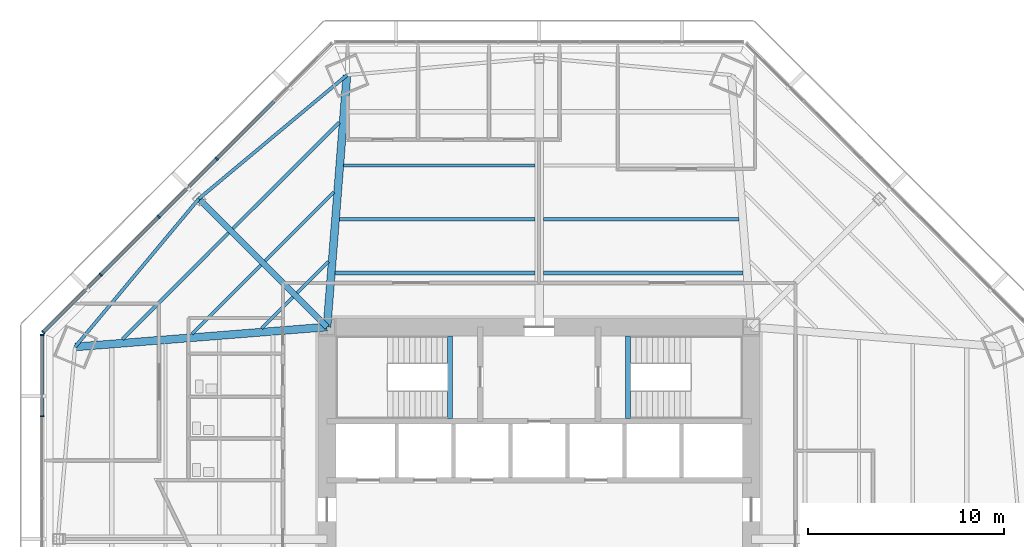
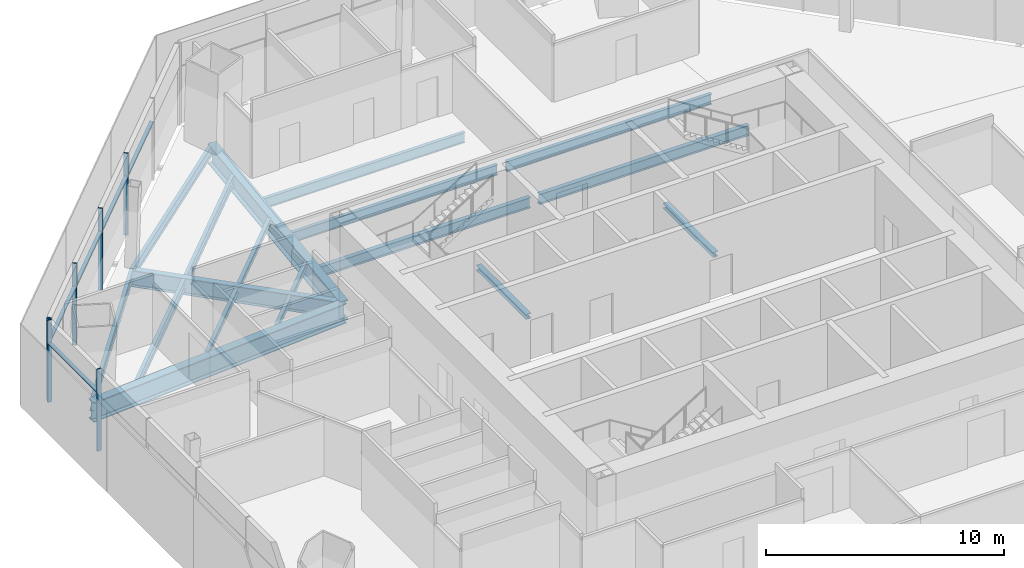
# One storey, part 5 of 16: 18 beams, 11 members, 2 elements without a shape of their own.
"""IFC4 building model written with IfcOpenShell, lengths in metres."""

from ifc_helpers import new_model, si_unit, direction, frame, origin, origin_2d, place, context, subcontext, project, spatial, rectangle, i_section, extrude, source, transform, mapped, material, material_profile, profile_set, type_object, type_shapes, element, aggregate, save


model = new_model("IFC4")

# Units and contexts
model_context = context("Model", 3, precision=1e-05, world=origin(), true_north=direction((0.0, 1.0)))
body_context = subcontext(model_context, "Body", "Model", "MODEL_VIEW")
ifc_project = project(units=[si_unit("LENGTHUNIT", "METRE"), si_unit("AREAUNIT", "SQUARE_METRE"), si_unit("VOLUMEUNIT", "CUBIC_METRE"), si_unit("PLANEANGLEUNIT", "RADIAN"), si_unit("MASSUNIT", "GRAM", prefix="KILO")], contexts=[model_context])

# Site, building, storey
site_placement = place(None, origin())
site = spatial("IfcSite", under=ifc_project, at=site_placement, CompositionType="ELEMENT")
building_placement = place(site_placement, origin())
building = spatial("IfcBuilding", under=site, at=building_placement, Name="Mashrafa Tower", CompositionType="ELEMENT")
storey_placement = place(building_placement, frame((0.0, 0.0, 96.0)))
storey = spatial("IfcBuildingStorey", under=building, at=storey_placement, Name="L21", CompositionType="ELEMENT", Elevation=96.0)

# Beams
ifc_material_1 = material(Name="Steel ASTM A992", Category="steel")
ifc_material_profile_1 = material_profile(ifc_material_1, i_section(OverallWidth=0.164794921875, OverallDepth=0.309814453125, WebThickness=0.005859375, FlangeThickness=0.009765625, FilletRadius=0.007568359375, at=origin_2d()), Name="W12X26")
ifc_profile_set_1 = profile_set([ifc_material_profile_1], Name="Steel ASTM A992")
beam_type_1 = type_object("IfcBeamType", Name="Beam W12X26", PredefinedType="BEAM", material=ifc_profile_set_1)
beam_1_placement = place(storey_placement, frame((-17.66845703125, 10.458251953125, -0.31982421875), z_axis=(0.707082131725, 0.707131429789, 0.0), x_axis=(-0.707131429789, 0.707082131725, 0.0)))
element("IfcBeam", 1, at=beam_1_placement, inside=storey, type_object=beam_type_1, Name="Floor beam L21 006", PredefinedType="BEAM", context=body_context, shape_type="SweptSolid", body=[
    extrude(i_section(OverallWidth=0.164794921875, OverallDepth=0.309814453125, WebThickness=0.005859375, FlangeThickness=0.009765625, FilletRadius=0.007568359375, at=origin_2d()), origin(), (0.0, 0.0, 1.0), 4.952392578125),
])
beam_2_placement = place(storey_placement, frame((-14.125, 10.73828125, -0.31982421875), z_axis=(0.707106781187, 0.707106781187, 0.0), x_axis=(-0.707106781187, 0.707106781187, 0.0)))
element("IfcBeam", 2, at=beam_2_placement, inside=storey, type_object=beam_type_1, Name="Floor beam L21 011", PredefinedType="BEAM", context=body_context, shape_type="SweptSolid", body=[
    extrude(i_section(OverallWidth=0.164794921875, OverallDepth=0.309814453125, WebThickness=0.005859375, FlangeThickness=0.009765625, FilletRadius=0.007568359375, at=origin_2d()), origin(), (0.0, 0.0, 1.0), 2.248779296875),
])
beam_3_placement = place(storey_placement, frame((-13.960205078125, 14.166748046875, -0.31982421875), z_axis=(0.707131429789, 0.707082131725, 0.0), x_axis=(-0.707082131725, 0.707131429789, 0.0)))
element("IfcBeam", 3, at=beam_3_placement, inside=storey, type_object=beam_type_1, Name="Floor beam L21 013", PredefinedType="BEAM", context=body_context, shape_type="SweptSolid", body=[
    extrude(i_section(OverallWidth=0.164794921875, OverallDepth=0.309814453125, WebThickness=0.005859375, FlangeThickness=0.009765625, FilletRadius=0.007568359375, at=origin_2d()), origin(), (0.0, 0.0, 1.0), 4.952392578125),
])
beam_4_placement = place(storey_placement, frame((-12.328369140625, 12.534912109375, -0.31982421875), z_axis=(0.707106781187, 0.707106781187, 0.0), x_axis=(-0.707106781187, 0.707106781187, 0.0)))
element("IfcBeam", 4, at=beam_4_placement, inside=storey, type_object=beam_type_1, Name="Floor beam L21 017", PredefinedType="BEAM", context=body_context, shape_type="SweptSolid", body=[
    extrude(i_section(OverallWidth=0.164794921875, OverallDepth=0.309814453125, WebThickness=0.005859375, FlangeThickness=0.009765625, FilletRadius=0.007568359375, at=origin_2d()), origin(), (0.0, 0.0, 1.0), 2.248779296875),
])
ifc_material_2 = material(Name="Steel ASTM A992", Category="steel")
ifc_material_profile_2 = material_profile(ifc_material_2, i_section(OverallWidth=0.1650390625, OverallDepth=0.52587890625, WebThickness=0.0087890625, FlangeThickness=0.011474609375, FilletRadius=0.0126953125, at=origin_2d()), Name="W21X44")
ifc_profile_set_2 = profile_set([ifc_material_profile_2], Name="Steel ASTM A992")
beam_type_2 = type_object("IfcBeamType", Name="Beam W21X44", PredefinedType="BEAM", material=ifc_profile_set_2)
beam_5_placement = place(storey_placement, frame((-9.948486328125, 19.022216796875, -0.427978515625), z_axis=(1.0, 0.0, 0.0), x_axis=(0.0, 1.0, 0.0)))
element("IfcBeam", 5, at=beam_5_placement, inside=storey, type_object=beam_type_2, Name="Floor beam L21 022", PredefinedType="BEAM", context=body_context, shape_type="SweptSolid", body=[
    extrude(i_section(OverallWidth=0.1650390625, OverallDepth=0.52587890625, WebThickness=0.0087890625, FlangeThickness=0.011474609375, FilletRadius=0.0126953125, at=origin_2d()), origin(), (0.0, 0.0, 1.0), 9.736328125),
])
ifc_material_3 = material(Name="Steel ASTM A992", Category="steel")
ifc_material_profile_3 = material_profile(ifc_material_3, i_section(OverallWidth=0.165771484375, OverallDepth=0.5283203125, WebThickness=0.009765625, FlangeThickness=0.013671875, FilletRadius=0.012939453125, at=origin_2d()), Name="W21X50")
ifc_profile_set_3 = profile_set([ifc_material_profile_3], Name="Steel ASTM A992")
beam_type_3 = type_object("IfcBeamType", Name="Beam W21X50", PredefinedType="BEAM", material=ifc_profile_set_3)
for number, where, z_axis, x_axis, name in (
    (6, (-21.2119140625, 10.177978515625, -0.42919921875), (0.707090836864, 0.707122725149, 0.0), (-0.707122725149, 0.707090836864, 0.0), "Floor beam L21 003"),
    (7, (-15.591796875, 15.79833984375, -0.42919921875), (0.707122725149, 0.707090836864, 0.0), (-0.707090836864, 0.707122725149, 0.0), "Floor beam L21 010"),
):
    element("IfcBeam", number, at=place(storey_placement, frame(where, z_axis=z_axis, x_axis=x_axis)), inside=storey, type_object=beam_type_3, Name=name, PredefinedType="BEAM", context=body_context, shape_type="SweptSolid", body=[
        extrude(i_section(OverallWidth=0.165771484375, OverallDepth=0.5283203125, WebThickness=0.009765625, FlangeThickness=0.013671875, FilletRadius=0.012939453125, at=origin_2d()), origin(), (0.0, 0.0, 1.0), 7.656005859375),
    ])
for number, where, z_axis, x_axis, name in (
    (8, (-10.165283203125, 16.281494140625, -0.42919921875), (1.0, 0.0, 0.0), (0.0, 1.0, 0.0), "Floor beam L21 020"),
    (9, (0.212158203125, 16.281494140625, -0.42919921875), (1.0, 0.0, 0.0), (0.0, 1.0, 0.0), "Floor beam L21 030"),
):
    element("IfcBeam", number, at=place(storey_placement, frame(where, z_axis=z_axis, x_axis=x_axis)), inside=storey, type_object=beam_type_3, Name=name, PredefinedType="BEAM", context=body_context, shape_type="SweptSolid", body=[
        extrude(i_section(OverallWidth=0.165771484375, OverallDepth=0.5283203125, WebThickness=0.009765625, FlangeThickness=0.013671875, FilletRadius=0.012939453125, at=origin_2d()), origin(), (0.0, 0.0, 1.0), 9.953125),
    ])
for number, where, z_axis, x_axis, name in (
    (10, (-17.32666015625, 17.32666015625, -0.42919921875), (-0.641076048698, -0.76747736109, 0.0), (0.76747736109, -0.641076048698, 0.0), "Spandrel beam L21 077"),
    (11, (-9.785888671875, 23.62548828125, -0.42919921875), (-0.76747736109, -0.641076048698, 0.0), (0.641076048698, -0.76747736109, 0.0), "Spandrel beam L21 079"),
):
    element("IfcBeam", number, at=place(storey_placement, frame(where, z_axis=z_axis, x_axis=x_axis)), inside=storey, type_object=beam_type_3, Name=name, PredefinedType="BEAM", context=body_context, shape_type="SweptSolid", body=[
        extrude(i_section(OverallWidth=0.165771484375, OverallDepth=0.5283203125, WebThickness=0.009765625, FlangeThickness=0.013671875, FilletRadius=0.012939453125, at=origin_2d()), origin(), (0.0, 0.0, 1.0), 9.825439453125),
    ])
ifc_material_4 = material(Name="Steel ASTM A992", Category="steel")
ifc_material_profile_4 = material_profile(ifc_material_4, i_section(OverallWidth=0.209228515625, OverallDepth=0.533447265625, WebThickness=0.01025390625, FlangeThickness=0.015625, FilletRadius=0.012939453125, at=origin_2d()), Name="W21X62")
ifc_profile_set_4 = profile_set([ifc_material_profile_4], Name="Steel ASTM A992")
beam_type_4 = type_object("IfcBeamType", Name="Beam W21X62", PredefinedType="BEAM", material=ifc_profile_set_4)
for number, where, z_axis, x_axis, name in (
    (12, (-10.382080078125, 13.540771484375, -0.431640625), (1.0, 0.0, 0.0), (0.0, 1.0, 0.0), "Floor beam L21 018"),
    (13, (0.212158203125, 13.540771484375, -0.431640625), (1.0, 0.0, 0.0), (0.0, 1.0, 0.0), "Floor beam L21 029"),
):
    element("IfcBeam", number, at=place(storey_placement, frame(where, z_axis=z_axis, x_axis=x_axis)), inside=storey, type_object=beam_type_4, Name=name, PredefinedType="BEAM", context=body_context, shape_type="SweptSolid", body=[
        extrude(i_section(OverallWidth=0.209228515625, OverallDepth=0.533447265625, WebThickness=0.01025390625, FlangeThickness=0.015625, FilletRadius=0.012939453125, at=origin_2d()), origin(), (0.0, 0.0, 1.0), 10.169921875),
    ])
ifc_material_5 = material(Name="Steel ASTM A992", Category="steel")
ifc_material_profile_5 = material_profile(ifc_material_5, i_section(OverallWidth=0.2919921875, OverallDepth=0.845703125, WebThickness=0.015380859375, FlangeThickness=0.0244140625, FilletRadius=0.017333984375, at=origin_2d()), Name="W33X141")
ifc_profile_set_5 = profile_set([ifc_material_profile_5], Name="Steel ASTM A992")
beam_type_5 = type_object("IfcBeamType", Name="Beam W33X141", PredefinedType="BEAM", material=ifc_profile_set_5)
beam_6_placement = place(storey_placement, frame((-10.800048828125, 10.800048828125, -0.587890625), z_axis=(-0.707106781187, 0.707106781187, 0.0), x_axis=(-0.707106781187, -0.707106781187, 0.0)))
element("IfcBeam", 14, at=beam_6_placement, inside=storey, type_object=beam_type_5, Name="Radial girder L21 062", PredefinedType="BEAM", context=body_context, shape_type="SweptSolid", body=[
    extrude(i_section(OverallWidth=0.2919921875, OverallDepth=0.845703125, WebThickness=0.015380859375, FlangeThickness=0.0244140625, FilletRadius=0.017333984375, at=origin_2d()), origin(), (0.0, 0.0, 1.0), 9.22998046875),
])
ifc_material_6 = material(Name="Steel ASTM A992", Category="steel")
ifc_material_profile_6 = material_profile(ifc_material_6, i_section(OverallWidth=0.4013671875, OverallDepth=1.010986328125, WebThickness=0.023681640625, FlangeThickness=0.0419921875, FilletRadius=0.02001953125, at=origin_2d()), Name="W40X297")
ifc_profile_set_6 = profile_set([ifc_material_profile_6], Name="Steel ASTM A992")
beam_type_6 = type_object("IfcBeamType", Name="Beam W40X297", PredefinedType="BEAM", material=ifc_profile_set_6)
for number, where, z_axis, x_axis, name in (
    (15, (-10.800048828125, 10.800048828125, -0.67041015625), (-0.996888228081, -0.078828045218, 0.0), (0.078828045218, -0.996888228081, 0.0), "Radial girder L21 061"),
    (16, (-10.800048828125, 10.800048828125, -0.67041015625), (0.078828045218, 0.996888228081, 0.0), (-0.996888228081, 0.078828045218, 0.0), "Radial girder L21 063"),
):
    element("IfcBeam", number, at=place(storey_placement, frame(where, z_axis=z_axis, x_axis=x_axis)), inside=storey, type_object=beam_type_6, Name=name, PredefinedType="BEAM", context=body_context, shape_type="SweptSolid", body=[
        extrude(i_section(OverallWidth=0.4013671875, OverallDepth=1.010986328125, WebThickness=0.023681640625, FlangeThickness=0.0419921875, FilletRadius=0.02001953125, at=origin_2d()), origin(), (0.0, 0.0, 1.0), 12.865478515625),
    ])
ifc_material_7 = material(Name="Steel ASTM A992", Category="steel")
ifc_material_profile_7 = material_profile(ifc_material_7, i_section(OverallWidth=0.25390625, OverallDepth=0.25390625, WebThickness=0.008544921875, FlangeThickness=0.01416015625, FilletRadius=0.010009765625, at=origin_2d()), Name="W10X49")
ifc_profile_set_7 = profile_set([ifc_material_profile_7], Name="Steel ASTM A992")
beam_type_7 = type_object("IfcBeamType", Name="Hoistway beam W10X49", PredefinedType="BEAM", material=ifc_profile_set_7)
for number, where, z_axis, x_axis, name in (
    (17, (-4.530029296875, 6.14990234375, -0.326904296875), (0.0, 1.0, 0.0), (-1.0, 0.0, 0.0), "Stair S1 landing beam L21"),
    (18, (4.530029296875, 6.14990234375, -0.326904296875), (0.0, 1.0, 0.0), (-1.0, 0.0, 0.0), "Stair S2 landing beam L21"),
):
    element("IfcBeam", number, at=place(storey_placement, frame(where, z_axis=z_axis, x_axis=x_axis)), inside=storey, type_object=beam_type_7, Name=name, PredefinedType="BEAM", context=body_context, shape_type="SweptSolid", body=[
        extrude(i_section(OverallWidth=0.25390625, OverallDepth=0.25390625, WebThickness=0.008544921875, FlangeThickness=0.01416015625, FilletRadius=0.010009765625, at=origin_2d()), origin(), (0.0, 0.0, 1.0), 4.2001953125),
    ])

# Curtain wall, members
ifc_material_8 = material(Name="Unitised aluminium curtain wall", Category="aluminium")
curtain_wall_type = type_object("IfcCurtainWallType", Name="Office curtain wall, zone 1 CW-A 200 deep", PredefinedType="NOTDEFINED", material=ifc_material_8)
curtain_wall_1_placement = place(storey_placement, origin())
curtain_wall_1 = element("IfcCurtainWall", 19, at=curtain_wall_1_placement, inside=storey, type_object=curtain_wall_type, Name="Office curtain wall, zone 1 L21 north-west", PredefinedType="NOTDEFINED")
ifc_material_9 = material(Name="Extruded aluminium mullion", Category="aluminium")
ifc_material_profile_8 = material_profile(ifc_material_9, rectangle(XDim=0.199951171875, YDim=0.06494140625, at=origin_2d()), Name="Mullion 65x200")
ifc_profile_set_8 = profile_set([ifc_material_profile_8], Name="Extruded aluminium mullion")
member_type_1 = type_object("IfcMemberType", Name="Mullion CW-A 65 x 200", PredefinedType="MULLION", material=ifc_profile_set_8)
shared_shape_1 = source(origin(), body_context, "Body", "SweptSolid", [
    extrude(rectangle(XDim=0.199951171875, YDim=0.06494140625, at=origin_2d()), origin(), (0.0, 0.0, 1.0), 4.199951171875),
])
type_shapes(member_type_1, [shared_shape_1])
member_1_placement = place(storey_placement, frame((-16.414306640625, 19.36376953125, 0.0), z_axis=(0.0, 0.0, 1.0), x_axis=(0.707106781187, -0.707106781187, 0.0)))
member_1 = element("IfcMember", 20, at=member_1_placement, type_object=member_type_1, Name="CW-A mullion 3", PredefinedType="MULLION", context=body_context, shape_type="MappedRepresentation", body=[
    mapped(shared_shape_1, transform((0.0, 0.0, 0.0))),
])
member_2_placement = place(storey_placement, frame((-19.36376953125, 16.414306640625, 0.0), z_axis=(0.0, 0.0, 1.0), x_axis=(0.707106781187, -0.707106781187, 0.0)))
member_2 = element("IfcMember", 21, at=member_2_placement, type_object=member_type_1, Name="CW-A mullion 4", PredefinedType="MULLION", context=body_context, shape_type="MappedRepresentation", body=[
    mapped(shared_shape_1, transform((0.0, 0.0, 0.0))),
])
member_3_placement = place(storey_placement, frame((-22.313232421875, 13.465087890625, 0.0), z_axis=(0.0, 0.0, 1.0), x_axis=(0.707106781187, -0.707106781187, 0.0)))
member_3 = element("IfcMember", 22, at=member_3_placement, type_object=member_type_1, Name="CW-A mullion 5", PredefinedType="MULLION", context=body_context, shape_type="MappedRepresentation", body=[
    mapped(shared_shape_1, transform((0.0, 0.0, 0.0))),
])
member_4_placement = place(storey_placement, frame((-25.23974609375, 10.53857421875, 0.0), z_axis=(0.0, 0.0, 1.0), x_axis=(0.707106781187, -0.707106781187, 0.0)))
member_4 = element("IfcMember", 23, at=member_4_placement, type_object=member_type_1, Name="CW-A mullion 6", PredefinedType="MULLION", context=body_context, shape_type="MappedRepresentation", body=[
    mapped(shared_shape_1, transform((0.0, 0.0, 0.0))),
])

curtain_wall_2_placement = place(storey_placement, origin())
curtain_wall_2 = element("IfcCurtainWall", 24, at=curtain_wall_2_placement, inside=storey, type_object=curtain_wall_type, Name="Office curtain wall, zone 1 L21 west", PredefinedType="NOTDEFINED")
member_5_placement = place(storey_placement, frame((-25.299072265625, 10.395263671875, 0.0), z_axis=(0.0, 0.0, 1.0), x_axis=(1.0, 0.0, 0.0)))
member_5 = element("IfcMember", 25, at=member_5_placement, type_object=member_type_1, Name="CW-A mullion 1", PredefinedType="MULLION", context=body_context, shape_type="MappedRepresentation", body=[
    mapped(shared_shape_1, transform((0.0, 0.0, 0.0))),
])
member_6_placement = place(storey_placement, frame((-25.299072265625, 6.256591796875, 0.0), z_axis=(0.0, 0.0, 1.0), x_axis=(1.0, 0.0, 0.0)))
member_6 = element("IfcMember", 26, at=member_6_placement, type_object=member_type_1, Name="CW-A mullion 2", PredefinedType="MULLION", context=body_context, shape_type="MappedRepresentation", body=[
    mapped(shared_shape_1, transform((0.0, 0.0, 0.0))),
])

# Member
ifc_material_10 = material(Name="Extruded aluminium transom", Category="aluminium")
ifc_material_profile_9 = material_profile(ifc_material_10, rectangle(XDim=0.159912109375, YDim=0.080078125, at=origin_2d()), Name="Transom 80x160")
ifc_profile_set_9 = profile_set([ifc_material_profile_9], Name="Extruded aluminium transom")
member_type_2 = type_object("IfcMemberType", Name="Transom CW-A 80 x 160", PredefinedType="MULLION", material=ifc_profile_set_9)
shared_shape_2 = source(origin(), body_context, "Body", "SweptSolid", [
    extrude(rectangle(XDim=0.159912109375, YDim=0.080078125, at=origin_2d()), origin(), (0.0, 0.0, 1.0), 4.07373046875),
])
member_7_placement = place(storey_placement, frame((-22.336181640625, 13.44189453125, 3.0), z_axis=(-0.707136746513, -0.707076814591, 0.0), x_axis=(0.707076814591, -0.707136746513, 0.0)))
member_7 = element("IfcMember", 27, at=member_7_placement, type_object=member_type_2, Name="CW-A transom 5", PredefinedType="MULLION", context=body_context, shape_type="MappedRepresentation", body=[
    mapped(shared_shape_2, transform((0.0, 0.0, 0.0))),
])

member_8_placement = place(storey_placement, frame((-25.299072265625, 10.36279296875, 3.0), z_axis=(0.0, -1.0, 0.0), x_axis=(1.0, 0.0, 0.0)))
member_8 = element("IfcMember", 28, at=member_8_placement, type_object=member_type_2, Name="CW-A transom 1", PredefinedType="MULLION", context=body_context, shape_type="MappedRepresentation", body=[
    mapped(shared_shape_2, transform((0.0, 0.0, 0.0))),
])

aggregate(curtain_wall_2, [member_5, member_6, member_8])

shared_shape_3 = source(origin(), body_context, "Body", "SweptSolid", [
    extrude(rectangle(XDim=0.159912109375, YDim=0.080078125, at=origin_2d()), origin(), (0.0, 0.0, 1.0), 4.106201171875),
])
type_shapes(member_type_2, [shared_shape_2, shared_shape_3])
member_9_placement = place(storey_placement, frame((-13.488037109375, 22.290283203125, 3.0), z_axis=(-0.707077051456, -0.707136509667, 0.0), x_axis=(0.707136509667, -0.707077051456, 0.0)))
member_9 = element("IfcMember", 29, at=member_9_placement, type_object=member_type_2, Name="CW-A transom 2", PredefinedType="MULLION", context=body_context, shape_type="MappedRepresentation", body=[
    mapped(shared_shape_3, transform((0.0, 0.0, 0.0))),
])

member_10_placement = place(storey_placement, frame((-16.437255859375, 19.3408203125, 3.0), z_axis=(-0.707106781187, -0.707106781187, 0.0), x_axis=(0.707106781187, -0.707106781187, 0.0)))
member_10 = element("IfcMember", 30, at=member_10_placement, type_object=member_type_2, Name="CW-A transom 3", PredefinedType="MULLION", context=body_context, shape_type="MappedRepresentation", body=[
    mapped(shared_shape_3, transform((0.0, 0.0, 0.0))),
])

member_11_placement = place(storey_placement, frame((-19.38671875, 16.391357421875, 3.0), z_axis=(-0.707136509667, -0.707077051456, 0.0), x_axis=(0.707077051456, -0.707136509667, 0.0)))
member_11 = element("IfcMember", 31, at=member_11_placement, type_object=member_type_2, Name="CW-A transom 4", PredefinedType="MULLION", context=body_context, shape_type="MappedRepresentation", body=[
    mapped(shared_shape_3, transform((0.0, 0.0, 0.0))),
])

aggregate(curtain_wall_1, [member_1, member_2, member_3, member_4, member_9, member_10, member_11, member_7])

save(model, "model.ifc")
